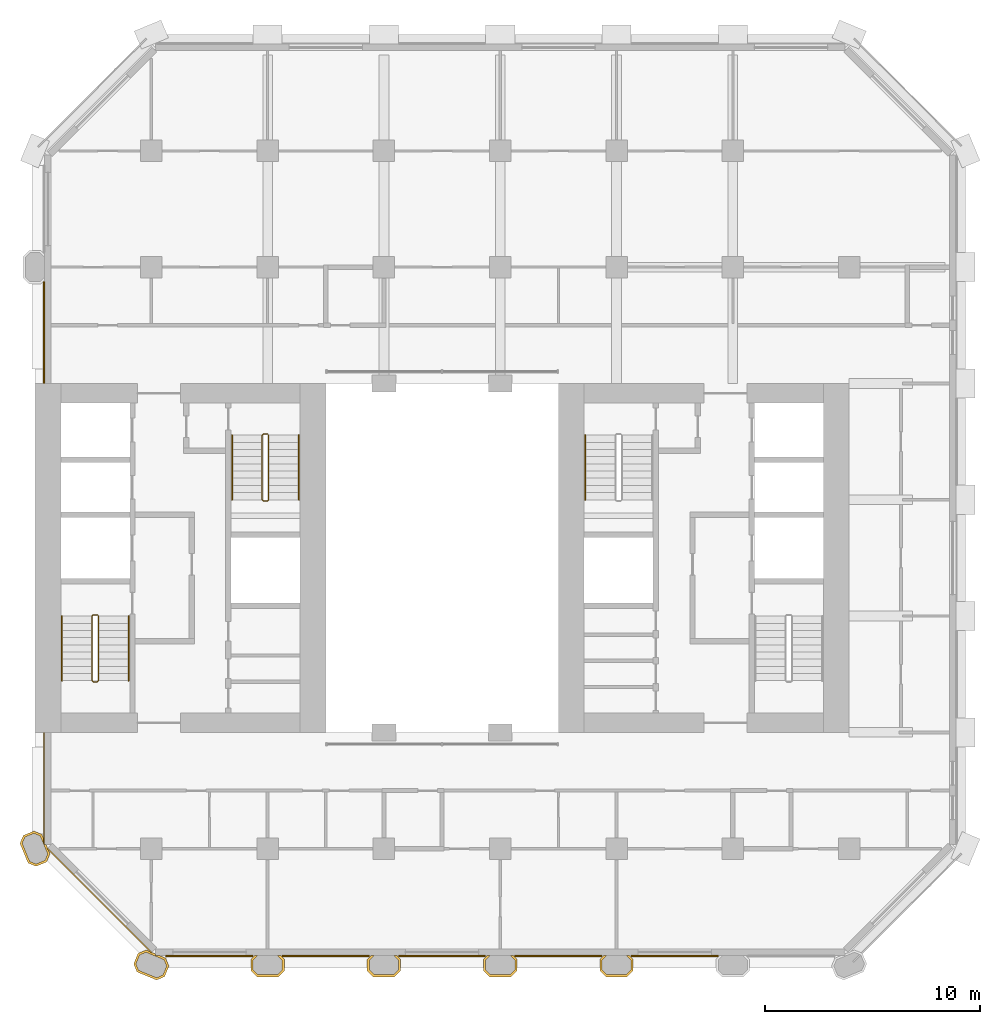
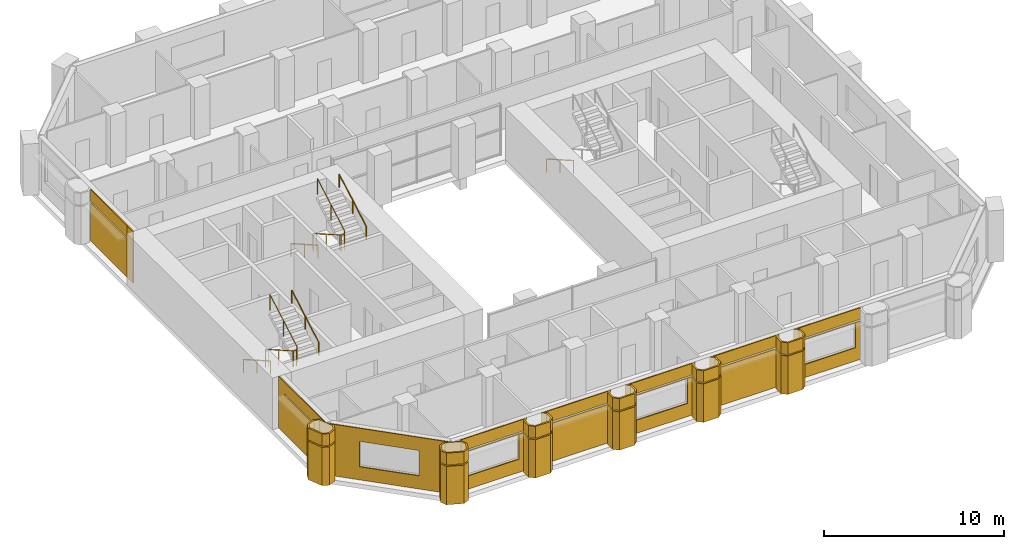
# One storey, part 9 of 11: 27 coverings, 7 railings.
"""IFC4 building model written with IfcOpenShell, lengths in metres."""

from ifc_helpers import new_model, si_unit, direction, frame, frame_2d, origin, origin_2d, place, context, subcontext, project, spatial, polyline, rectangle, circle, outline, extrude, material, layer, layer_set, type_object, element, save


model = new_model("IFC4")

# Units and contexts
model_context = context("Model", 3, precision=1e-05, world=origin(), true_north=direction((0.0, 1.0)))
body_context = subcontext(model_context, "Body", "Model", "MODEL_VIEW")
ifc_project = project(units=[si_unit("LENGTHUNIT", "METRE"), si_unit("AREAUNIT", "SQUARE_METRE"), si_unit("VOLUMEUNIT", "CUBIC_METRE"), si_unit("PLANEANGLEUNIT", "RADIAN"), si_unit("MASSUNIT", "GRAM", prefix="KILO")], contexts=[model_context])

# Site, building, storey
site_placement = place(None, origin())
site = spatial("IfcSite", under=ifc_project, at=site_placement, CompositionType="ELEMENT")
building_placement = place(site_placement, origin())
building = spatial("IfcBuilding", under=site, at=building_placement, Name="Tabaq Tower and Sports Hall", CompositionType="ELEMENT")
storey_placement = place(building_placement, frame((0.0, 0.0, 72.60009765625)))
storey = spatial("IfcBuildingStorey", under=building, at=storey_placement, Name="L16", CompositionType="ELEMENT", Elevation=72.60009765625)

# Coverings
ifc_material_1 = material(Name="Precast concrete C60/75", Category="concrete")
ifc_layer_1 = layer(ifc_material_1, 0.10009765625)
ifc_layer_set_1 = layer_set([ifc_layer_1], Name="Column cladding 100")
covering_type_1 = type_object("IfcCoveringType", Name="Column cladding 100", PredefinedType="CLADDING", material=ifc_layer_set_1)
covering_1_placement = place(storey_placement, origin())
element("IfcCovering", 1, at=covering_1_placement, inside=storey, type_object=covering_type_1, Name="Column cladding L16 PC-2C-O2", PredefinedType="CLADDING", context=body_context, shape_type="SweptSolid", body=[
    extrude(outline(polyline([(5.450439453125, 9.982421875), (5.080078125, 10.1357421875), (4.7041015625, 11.04345703125), (4.857421875, 11.413818359375), (5.349609375, 11.61767578125), (5.7197265625, 11.46435546875), (5.789794921875, 11.295654296875), (5.789794921875, 11.04296875), (5.849609375, 11.04296875), (5.849609375, 10.986083984375), (5.91796875, 10.986083984375), (5.9814453125, 10.83251953125), (5.9501953125, 10.801025390625), (6.026123046875, 10.72509765625), (6.095947265625, 10.556396484375), (5.9423828125, 10.186279296875), (5.450439453125, 9.982421875)]), holes=[polyline([(5.349609375, 11.510009765625), (4.93359375, 11.337646484375), (4.811767578125, 11.04345703125), (5.15625, 10.2119140625), (5.450439453125, 10.08984375), (5.866455078125, 10.26220703125), (5.98828125, 10.556396484375), (5.643798828125, 11.38818359375), (5.349609375, 11.510009765625)])]), origin(), (0.0, 0.0, 1.0), 2.599853515625),
])
covering_2_placement = place(storey_placement, frame((0.0, 0.0, 2.699951171875)))
element("IfcCovering", 2, at=covering_2_placement, inside=storey, type_object=covering_type_1, Name="Column cladding L16 PC-2C-O2 2", PredefinedType="CLADDING", context=body_context, shape_type="SweptSolid", body=[
    extrude(outline(polyline([(5.450439453125, 9.982421875), (5.080078125, 10.1357421875), (4.7041015625, 11.04345703125), (4.857421875, 11.413818359375), (5.349609375, 11.61767578125), (5.7197265625, 11.46435546875), (5.789794921875, 11.295654296875), (5.789794921875, 11.04296875), (5.849609375, 11.04296875), (5.849609375, 10.986083984375), (5.91796875, 10.986083984375), (5.9814453125, 10.83251953125), (5.9501953125, 10.801025390625), (6.026123046875, 10.72509765625), (6.095947265625, 10.556396484375), (5.9423828125, 10.186279296875), (5.450439453125, 9.982421875)]), holes=[polyline([(5.349609375, 11.510009765625), (4.93359375, 11.337646484375), (4.811767578125, 11.04345703125), (5.15625, 10.2119140625), (5.450439453125, 10.08984375), (5.866455078125, 10.26220703125), (5.98828125, 10.556396484375), (5.643798828125, 11.38818359375), (5.349609375, 11.510009765625)])]), origin(), (0.0, 0.0, 1.0), 0.800048828125),
])
covering_3_placement = place(storey_placement, origin())
element("IfcCovering", 3, at=covering_3_placement, inside=storey, type_object=covering_type_1, Name="Column cladding L16 PC-3B-O2", PredefinedType="CLADDING", context=body_context, shape_type="SweptSolid", body=[
    extrude(outline(polyline([(11.413818359375, 4.857421875), (11.04345703125, 4.7041015625), (10.1357421875, 5.080078125), (9.982421875, 5.450439453125), (10.186279296875, 5.9423828125), (10.556396484375, 6.095947265625), (10.72509765625, 6.026123046875), (10.801025390625, 5.9501953125), (10.83251953125, 5.9814453125), (10.986083984375, 5.91796875), (10.986083984375, 5.849609375), (11.15087890625, 5.849609375), (11.46435546875, 5.7197265625), (11.61767578125, 5.349609375), (11.413818359375, 4.857421875)]), holes=[polyline([(10.26220703125, 5.866455078125), (10.08984375, 5.450439453125), (10.2119140625, 5.15625), (11.04345703125, 4.811767578125), (11.337646484375, 4.93359375), (11.510009765625, 5.349609375), (11.38818359375, 5.643798828125), (10.556396484375, 5.98828125), (10.26220703125, 5.866455078125)])]), origin(), (0.0, 0.0, 1.0), 2.599853515625),
])
covering_4_placement = place(storey_placement, frame((0.0, 0.0, 2.699951171875)))
element("IfcCovering", 4, at=covering_4_placement, inside=storey, type_object=covering_type_1, Name="Column cladding L16 PC-3B-O2 2", PredefinedType="CLADDING", context=body_context, shape_type="SweptSolid", body=[
    extrude(outline(polyline([(11.413818359375, 4.857421875), (11.04345703125, 4.7041015625), (10.1357421875, 5.080078125), (9.982421875, 5.450439453125), (10.186279296875, 5.9423828125), (10.556396484375, 6.095947265625), (10.72509765625, 6.026123046875), (10.801025390625, 5.9501953125), (10.83251953125, 5.9814453125), (10.986083984375, 5.91796875), (10.986083984375, 5.849609375), (11.15087890625, 5.849609375), (11.46435546875, 5.7197265625), (11.61767578125, 5.349609375), (11.413818359375, 4.857421875)]), holes=[polyline([(10.26220703125, 5.866455078125), (10.08984375, 5.450439453125), (10.2119140625, 5.15625), (11.04345703125, 4.811767578125), (11.337646484375, 4.93359375), (11.510009765625, 5.349609375), (11.38818359375, 5.643798828125), (10.556396484375, 5.98828125), (10.26220703125, 5.866455078125)])]), origin(), (0.0, 0.0, 1.0), 0.800048828125),
])
covering_5_placement = place(storey_placement, origin())
element("IfcCovering", 5, at=covering_5_placement, inside=storey, type_object=covering_type_1, Name="Column cladding L16 PC-4B-O2", PredefinedType="CLADDING", context=body_context, shape_type="SweptSolid", body=[
    extrude(outline(polyline([(15.42529296875, 5.666259765625), (15.608642578125, 5.849609375), (15.749267578125, 5.849609375), (15.524658203125, 5.625244140625), (15.524658203125, 5.1748046875), (15.749755859375, 4.94970703125), (16.650146484375, 4.94970703125), (16.875244140625, 5.1748046875), (16.875244140625, 5.625244140625), (16.650634765625, 5.849609375), (16.791259765625, 5.849609375), (16.974609375, 5.666259765625), (16.974609375, 5.1337890625), (16.69140625, 4.850341796875), (15.708740234375, 4.850341796875), (15.42529296875, 5.1337890625), (15.42529296875, 5.666259765625)])), origin(), (0.0, 0.0, 1.0), 2.599853515625),
])
covering_6_placement = place(storey_placement, frame((0.0, 0.0, 2.699951171875)))
element("IfcCovering", 6, at=covering_6_placement, inside=storey, type_object=covering_type_1, Name="Column cladding L16 PC-4B-O2 2", PredefinedType="CLADDING", context=body_context, shape_type="SweptSolid", body=[
    extrude(outline(polyline([(15.42529296875, 5.666259765625), (15.608642578125, 5.849609375), (15.749267578125, 5.849609375), (15.524658203125, 5.625244140625), (15.524658203125, 5.1748046875), (15.749755859375, 4.94970703125), (16.650146484375, 4.94970703125), (16.875244140625, 5.1748046875), (16.875244140625, 5.625244140625), (16.650634765625, 5.849609375), (16.791259765625, 5.849609375), (16.974609375, 5.666259765625), (16.974609375, 5.1337890625), (16.69140625, 4.850341796875), (15.708740234375, 4.850341796875), (15.42529296875, 5.1337890625), (15.42529296875, 5.666259765625)])), origin(), (0.0, 0.0, 1.0), 0.800048828125),
])
covering_7_placement = place(storey_placement, origin())
element("IfcCovering", 7, at=covering_7_placement, inside=storey, type_object=covering_type_1, Name="Column cladding L16 PC-5B-O2", PredefinedType="CLADDING", context=body_context, shape_type="SweptSolid", body=[
    extrude(outline(polyline([(20.8251953125, 5.666259765625), (21.0087890625, 5.849609375), (21.149169921875, 5.849609375), (20.9248046875, 5.625244140625), (20.9248046875, 5.1748046875), (21.14990234375, 4.94970703125), (22.050048828125, 4.94970703125), (22.275390625, 5.1748046875), (22.275390625, 5.625244140625), (22.05078125, 5.849609375), (22.19140625, 5.849609375), (22.374755859375, 5.666259765625), (22.374755859375, 5.1337890625), (22.09130859375, 4.850341796875), (21.108642578125, 4.850341796875), (20.8251953125, 5.1337890625), (20.8251953125, 5.666259765625)])), origin(), (0.0, 0.0, 1.0), 2.599853515625),
])
covering_8_placement = place(storey_placement, frame((0.0, 0.0, 2.699951171875)))
element("IfcCovering", 8, at=covering_8_placement, inside=storey, type_object=covering_type_1, Name="Column cladding L16 PC-5B-O2 2", PredefinedType="CLADDING", context=body_context, shape_type="SweptSolid", body=[
    extrude(outline(polyline([(20.8251953125, 5.666259765625), (21.0087890625, 5.849609375), (21.149169921875, 5.849609375), (20.9248046875, 5.625244140625), (20.9248046875, 5.1748046875), (21.14990234375, 4.94970703125), (22.050048828125, 4.94970703125), (22.275390625, 5.1748046875), (22.275390625, 5.625244140625), (22.05078125, 5.849609375), (22.19140625, 5.849609375), (22.374755859375, 5.666259765625), (22.374755859375, 5.1337890625), (22.09130859375, 4.850341796875), (21.108642578125, 4.850341796875), (20.8251953125, 5.1337890625), (20.8251953125, 5.666259765625)])), origin(), (0.0, 0.0, 1.0), 0.800048828125),
])
covering_9_placement = place(storey_placement, origin())
element("IfcCovering", 9, at=covering_9_placement, inside=storey, type_object=covering_type_1, Name="Column cladding L16 PC-6B-O2", PredefinedType="CLADDING", context=body_context, shape_type="SweptSolid", body=[
    extrude(outline(polyline([(26.225341796875, 5.666259765625), (26.40869140625, 5.849609375), (26.54931640625, 5.849609375), (26.32470703125, 5.625244140625), (26.32470703125, 5.1748046875), (26.5498046875, 4.94970703125), (27.4501953125, 4.94970703125), (27.67529296875, 5.1748046875), (27.67529296875, 5.625244140625), (27.45068359375, 5.849609375), (27.59130859375, 5.849609375), (27.774658203125, 5.666259765625), (27.774658203125, 5.1337890625), (27.4912109375, 4.850341796875), (26.5087890625, 4.850341796875), (26.225341796875, 5.1337890625), (26.225341796875, 5.666259765625)])), origin(), (0.0, 0.0, 1.0), 2.599853515625),
])
covering_10_placement = place(storey_placement, frame((0.0, 0.0, 2.699951171875)))
element("IfcCovering", 10, at=covering_10_placement, inside=storey, type_object=covering_type_1, Name="Column cladding L16 PC-6B-O2 2", PredefinedType="CLADDING", context=body_context, shape_type="SweptSolid", body=[
    extrude(outline(polyline([(26.225341796875, 5.666259765625), (26.40869140625, 5.849609375), (26.54931640625, 5.849609375), (26.32470703125, 5.625244140625), (26.32470703125, 5.1748046875), (26.5498046875, 4.94970703125), (27.4501953125, 4.94970703125), (27.67529296875, 5.1748046875), (27.67529296875, 5.625244140625), (27.45068359375, 5.849609375), (27.59130859375, 5.849609375), (27.774658203125, 5.666259765625), (27.774658203125, 5.1337890625), (27.4912109375, 4.850341796875), (26.5087890625, 4.850341796875), (26.225341796875, 5.1337890625), (26.225341796875, 5.666259765625)])), origin(), (0.0, 0.0, 1.0), 0.800048828125),
])
covering_11_placement = place(storey_placement, origin())
element("IfcCovering", 11, at=covering_11_placement, inside=storey, type_object=covering_type_1, Name="Column cladding L16 PC-7B-O2", PredefinedType="CLADDING", context=body_context, shape_type="SweptSolid", body=[
    extrude(outline(polyline([(31.625244140625, 5.666259765625), (31.80859375, 5.849609375), (31.94921875, 5.849609375), (31.724609375, 5.625244140625), (31.724609375, 5.1748046875), (31.949951171875, 4.94970703125), (32.85009765625, 4.94970703125), (33.0751953125, 5.1748046875), (33.0751953125, 5.625244140625), (32.850830078125, 5.849609375), (32.9912109375, 5.849609375), (33.1748046875, 5.666259765625), (33.1748046875, 5.1337890625), (32.891357421875, 4.850341796875), (31.90869140625, 4.850341796875), (31.625244140625, 5.1337890625), (31.625244140625, 5.666259765625)])), origin(), (0.0, 0.0, 1.0), 2.599853515625),
])
covering_12_placement = place(storey_placement, frame((0.0, 0.0, 2.699951171875)))
element("IfcCovering", 12, at=covering_12_placement, inside=storey, type_object=covering_type_1, Name="Column cladding L16 PC-7B-O2 2", PredefinedType="CLADDING", context=body_context, shape_type="SweptSolid", body=[
    extrude(outline(polyline([(31.625244140625, 5.666259765625), (31.80859375, 5.849609375), (31.94921875, 5.849609375), (31.724609375, 5.625244140625), (31.724609375, 5.1748046875), (31.949951171875, 4.94970703125), (32.85009765625, 4.94970703125), (33.0751953125, 5.1748046875), (33.0751953125, 5.625244140625), (32.850830078125, 5.849609375), (32.9912109375, 5.849609375), (33.1748046875, 5.666259765625), (33.1748046875, 5.1337890625), (32.891357421875, 4.850341796875), (31.90869140625, 4.850341796875), (31.625244140625, 5.1337890625), (31.625244140625, 5.666259765625)])), origin(), (0.0, 0.0, 1.0), 0.800048828125),
])

# Railings
ifc_material_2 = material(Name="Stainless steel", Category="steel")
railing_type_1 = type_object("IfcRailingType", Name="Stair guard", PredefinedType="GUARDRAIL", material=ifc_material_2)
railing_1_placement = place(storey_placement, frame((8.300048828125, 21.64990234375, 0.0)))
element("IfcRailing", 13, at=railing_1_placement, inside=storey, type_object=railing_type_1, Name="L16 ST1 stair guard 1", PredefinedType="GUARDRAIL", context=body_context, shape_type="SweptSolid", body=[
    extrude(circle(Radius=0.02392578125, at=origin_2d()), frame((0.0, 0.0, 1.076171875), z_axis=(-1.0, 0.0, 0.0), x_axis=(0.0, -1.0, 0.0)), (0.0, 0.0, 1.0), 0.199951171875),
    extrude(circle(Radius=0.02392578125, at=origin_2d()), frame((-0.199951171875, 0.0, 1.076171875), z_axis=(-0.246983470365, -0.245778672949, 0.937332389972), x_axis=(0.705375805398, -0.708833529934, 0.0)), (0.0, 0.0, 1.0), 0.20263671875),
    extrude(circle(Radius=0.02392578125, at=origin_2d()), frame((-0.25, -0.0498046875, 1.26611328125), z_axis=(0.0, -0.868782136927, 0.495194505781), x_axis=(1.0, 0.0, 0.0)), (0.0, 0.0, 1.0), 3.453125),
    extrude(circle(Radius=0.02392578125, at=origin_2d()), frame((-0.25, -3.0498046875, 2.97607421875), z_axis=(0.707106781187, -0.707106781187, 0.0), x_axis=(0.707106781187, 0.707106781187, 0.0)), (0.0, 0.0, 1.0), 0.07080078125),
    extrude(circle(Radius=0.02392578125, at=origin_2d()), frame((-0.199951171875, -3.099853515625, 2.97607421875), z_axis=(1.0, 0.0, 0.0), x_axis=(0.0, 1.0, 0.0)), (0.0, 0.0, 1.0), 0.199951171875),
    extrude(circle(Radius=0.02392578125, at=origin_2d()), frame((0.0, -3.099853515625, 2.97607421875), z_axis=(0.246910188598, 0.246910188598, 0.937054276727), x_axis=(-0.707106781187, 0.707106781187, 0.0)), (0.0, 0.0, 1.0), 0.20263671875),
    extrude(circle(Radius=0.02392578125, at=origin_2d()), frame((0.050048828125, -3.0498046875, 3.166015625), z_axis=(0.0, 0.868782136927, 0.495194505781), x_axis=(-1.0, 0.0, 0.0)), (0.0, 0.0, 1.0), 3.453125),
    extrude(circle(Radius=0.02099609375, at=origin_2d()), origin(), (0.0, 0.0, 1.0), 1.052001953125),
    extrude(circle(Radius=0.02099609375, at=origin_2d()), frame((-0.199951171875, 0.0, 0.0)), (0.0, 0.0, 1.0), 1.052001953125),
    extrude(circle(Radius=0.02099609375, at=origin_2d()), frame((-0.25, -0.0498046875, 0.18994140625)), (0.0, 0.0, 1.0), 1.052001953125),
    extrude(circle(Radius=0.02099609375, at=origin_2d()), frame((-0.25, -1.5498046875, 1.044921875)), (0.0, 0.0, 1.0), 1.052001953125),
    extrude(circle(Radius=0.02099609375, at=origin_2d()), frame((-0.25, -3.0498046875, 1.89990234375)), (0.0, 0.0, 1.0), 1.052001953125),
    extrude(circle(Radius=0.02099609375, at=origin_2d()), frame((-0.199951171875, -3.099853515625, 1.89990234375)), (0.0, 0.0, 1.0), 1.052001953125),
    extrude(circle(Radius=0.02099609375, at=origin_2d()), frame((0.0, -3.099853515625, 1.89990234375)), (0.0, 0.0, 1.0), 1.052001953125),
    extrude(circle(Radius=0.02099609375, at=origin_2d()), frame((0.050048828125, -3.0498046875, 2.08984375)), (0.0, 0.0, 1.0), 1.052001953125),
    extrude(circle(Radius=0.02099609375, at=origin_2d()), frame((0.050048828125, -1.5498046875, 2.94482421875)), (0.0, 0.0, 1.0), 1.052001953125),
    extrude(circle(Radius=0.02099609375, at=origin_2d()), frame((0.050048828125, -0.0498046875, 3.7998046875)), (0.0, 0.0, 1.0), 1.052001953125),
])
railing_2_placement = place(storey_placement, frame((16.199951171875, 30.050048828125, 0.0)))
element("IfcRailing", 14, at=railing_2_placement, inside=storey, type_object=railing_type_1, Name="L16 ST2 stair guard 1", PredefinedType="GUARDRAIL", context=body_context, shape_type="SweptSolid", body=[
    extrude(circle(Radius=0.02392578125, at=origin_2d()), frame((0.0, 0.0, 1.076171875), z_axis=(-1.0, 0.0, 0.0), x_axis=(0.0, -1.0, 0.0)), (0.0, 0.0, 1.0), 0.199951171875),
    extrude(circle(Radius=0.02392578125, at=origin_2d()), frame((-0.199951171875, 0.0, 1.076171875), z_axis=(-0.246910188598, -0.246910188598, 0.937054276727), x_axis=(0.707106781187, -0.707106781187, 0.0)), (0.0, 0.0, 1.0), 0.20263671875),
    extrude(circle(Radius=0.02392578125, at=origin_2d()), frame((-0.25, -0.050048828125, 1.26611328125), z_axis=(0.0, -0.868782136927, 0.495194505781), x_axis=(1.0, 0.0, 0.0)), (0.0, 0.0, 1.0), 3.453125),
    extrude(circle(Radius=0.02392578125, at=origin_2d()), frame((-0.25, -3.050048828125, 2.97607421875), z_axis=(0.707106781187, -0.707106781187, 0.0), x_axis=(0.707106781187, 0.707106781187, 0.0)), (0.0, 0.0, 1.0), 0.07080078125),
    extrude(circle(Radius=0.02392578125, at=origin_2d()), frame((-0.199951171875, -3.10009765625, 2.97607421875), z_axis=(1.0, 0.0, 0.0), x_axis=(0.0, 1.0, 0.0)), (0.0, 0.0, 1.0), 0.199951171875),
    extrude(circle(Radius=0.02392578125, at=origin_2d()), frame((0.0, -3.10009765625, 2.97607421875), z_axis=(0.246910188598, 0.246910188598, 0.937054276727), x_axis=(-0.707106781187, 0.707106781187, 0.0)), (0.0, 0.0, 1.0), 0.20263671875),
    extrude(circle(Radius=0.02392578125, at=origin_2d()), frame((0.050048828125, -3.050048828125, 3.166015625), z_axis=(0.0, 0.868782136927, 0.495194505781), x_axis=(-1.0, 0.0, 0.0)), (0.0, 0.0, 1.0), 3.453125),
    extrude(circle(Radius=0.02099609375, at=origin_2d()), origin(), (0.0, 0.0, 1.0), 1.052001953125),
    extrude(circle(Radius=0.02099609375, at=origin_2d()), frame((-0.199951171875, 0.0, 0.0)), (0.0, 0.0, 1.0), 1.052001953125),
    extrude(circle(Radius=0.02099609375, at=origin_2d()), frame((-0.25, -0.050048828125, 0.18994140625)), (0.0, 0.0, 1.0), 1.052001953125),
    extrude(circle(Radius=0.02099609375, at=origin_2d()), frame((-0.25, -1.550048828125, 1.044921875)), (0.0, 0.0, 1.0), 1.052001953125),
    extrude(circle(Radius=0.02099609375, at=origin_2d()), frame((-0.25, -3.050048828125, 1.89990234375)), (0.0, 0.0, 1.0), 1.052001953125),
    extrude(circle(Radius=0.02099609375, at=origin_2d()), frame((-0.199951171875, -3.10009765625, 1.89990234375)), (0.0, 0.0, 1.0), 1.052001953125),
    extrude(circle(Radius=0.02099609375, at=origin_2d()), frame((0.0, -3.10009765625, 1.89990234375)), (0.0, 0.0, 1.0), 1.052001953125),
    extrude(circle(Radius=0.02099609375, at=origin_2d()), frame((0.050048828125, -3.050048828125, 2.08984375)), (0.0, 0.0, 1.0), 1.052001953125),
    extrude(circle(Radius=0.02099609375, at=origin_2d()), frame((0.050048828125, -1.550048828125, 2.94482421875)), (0.0, 0.0, 1.0), 1.052001953125),
    extrude(circle(Radius=0.02099609375, at=origin_2d()), frame((0.050048828125, -0.050048828125, 3.7998046875)), (0.0, 0.0, 1.0), 1.052001953125),
])
ifc_material_3 = material(Name="Stainless steel", Category="steel")
railing_type_2 = type_object("IfcRailingType", Name="Stair handrail", PredefinedType="HANDRAIL", material=ifc_material_3)
railing_3_placement = place(storey_placement, frame((6.64990234375, 21.60009765625, 0.18994140625)))
element("IfcRailing", 15, at=railing_3_placement, inside=storey, type_object=railing_type_2, Name="L16 ST1 stair handrail 1", PredefinedType="HANDRAIL", context=body_context, shape_type="SweptSolid", body=[
    extrude(circle(Radius=0.02392578125, at=origin_2d()), frame((0.0, 0.0, 0.8759765625), z_axis=(0.0, -0.868782136927, 0.495194505781), x_axis=(1.0, 0.0, 0.0)), (0.0, 0.0, 1.0), 3.453125),
    extrude(circle(Radius=0.02099609375, at=origin_2d()), origin(), (0.0, 0.0, 1.0), 0.851806640625),
    extrude(circle(Radius=0.02099609375, at=origin_2d()), frame((0.0, -1.5, 0.85498046875)), (0.0, 0.0, 1.0), 0.851806640625),
    extrude(circle(Radius=0.02099609375, at=origin_2d()), frame((0.0, -3.0, 1.7099609375)), (0.0, 0.0, 1.0), 0.851806640625),
])
railing_4_placement = place(storey_placement, frame((9.75, 18.60009765625, 2.08984375)))
element("IfcRailing", 16, at=railing_4_placement, inside=storey, type_object=railing_type_2, Name="L16 ST1 stair handrail 2", PredefinedType="HANDRAIL", context=body_context, shape_type="SweptSolid", body=[
    extrude(circle(Radius=0.02392578125, at=origin_2d()), frame((0.0, 0.0, 0.8759765625), z_axis=(0.0, 0.868782136927, 0.495194505781), x_axis=(-1.0, 0.0, 0.0)), (0.0, 0.0, 1.0), 3.453125),
    extrude(circle(Radius=0.02099609375, at=origin_2d()), origin(), (0.0, 0.0, 1.0), 0.851806640625),
    extrude(circle(Radius=0.02099609375, at=origin_2d()), frame((0.0, 1.5, 0.85498046875)), (0.0, 0.0, 1.0), 0.851806640625),
    extrude(circle(Radius=0.02099609375, at=origin_2d()), frame((0.0, 3.0, 1.7099609375)), (0.0, 0.0, 1.0), 0.851806640625),
])
railing_5_placement = place(storey_placement, frame((14.550048828125, 30.0, 0.18994140625)))
element("IfcRailing", 17, at=railing_5_placement, inside=storey, type_object=railing_type_2, Name="L16 ST2 stair handrail 1", PredefinedType="HANDRAIL", context=body_context, shape_type="SweptSolid", body=[
    extrude(circle(Radius=0.02392578125, at=origin_2d()), frame((0.0, 0.0, 0.8759765625), z_axis=(0.0, -0.868782136927, 0.495194505781), x_axis=(1.0, 0.0, 0.0)), (0.0, 0.0, 1.0), 3.453125),
    extrude(circle(Radius=0.02099609375, at=origin_2d()), origin(), (0.0, 0.0, 1.0), 0.851806640625),
    extrude(circle(Radius=0.02099609375, at=origin_2d()), frame((0.0, -1.5, 0.85498046875)), (0.0, 0.0, 1.0), 0.851806640625),
    extrude(circle(Radius=0.02099609375, at=origin_2d()), frame((0.0, -3.0, 1.7099609375)), (0.0, 0.0, 1.0), 0.851806640625),
])
railing_6_placement = place(storey_placement, frame((17.64990234375, 27.0, 2.08984375)))
element("IfcRailing", 18, at=railing_6_placement, inside=storey, type_object=railing_type_2, Name="L16 ST2 stair handrail 2", PredefinedType="HANDRAIL", context=body_context, shape_type="SweptSolid", body=[
    extrude(circle(Radius=0.02392578125, at=origin_2d()), frame((0.0, 0.0, 0.8759765625), z_axis=(0.0, 0.868782136927, 0.495194505781), x_axis=(-1.0, 0.0, 0.0)), (0.0, 0.0, 1.0), 3.453125),
    extrude(circle(Radius=0.02099609375, at=origin_2d()), origin(), (0.0, 0.0, 1.0), 0.851806640625),
    extrude(circle(Radius=0.02099609375, at=origin_2d()), frame((0.0, 1.5, 0.85498046875)), (0.0, 0.0, 1.0), 0.851806640625),
    extrude(circle(Radius=0.02099609375, at=origin_2d()), frame((0.0, 3.0, 1.7099609375)), (0.0, 0.0, 1.0), 0.851806640625),
])
railing_7_placement = place(storey_placement, frame((30.949951171875, 30.0, 0.18994140625)))
element("IfcRailing", 19, at=railing_7_placement, inside=storey, type_object=railing_type_2, Name="L16 ST4 stair handrail 1", PredefinedType="HANDRAIL", context=body_context, shape_type="SweptSolid", body=[
    extrude(circle(Radius=0.02392578125, at=origin_2d()), frame((0.0, 0.0, 0.8759765625), z_axis=(0.0, -0.868782136927, 0.495194505781), x_axis=(1.0, 0.0, 0.0)), (0.0, 0.0, 1.0), 3.453125),
    extrude(circle(Radius=0.02099609375, at=origin_2d()), origin(), (0.0, 0.0, 1.0), 0.851806640625),
    extrude(circle(Radius=0.02099609375, at=origin_2d()), frame((0.0, -1.5, 0.85498046875)), (0.0, 0.0, 1.0), 0.851806640625),
    extrude(circle(Radius=0.02099609375, at=origin_2d()), frame((0.0, -3.0, 1.7099609375)), (0.0, 0.0, 1.0), 0.851806640625),
])

# Coverings
ifc_material_4 = material(Name="Precast concrete C60/75", Category="concrete")
ifc_layer_2 = layer(ifc_material_4, 0.06005859375)
ifc_layer_set_2 = layer_set([ifc_layer_2], Name="White precast cladding panel 60 C60/75")
covering_type_2 = type_object("IfcCoveringType", Name="White precast cladding panel 60 C60/75", PredefinedType="CLADDING", material=ifc_layer_set_2)
covering_13_placement = place(storey_placement, frame((11.465087890625, 5.820068359375, 0.0), z_axis=(0.0, 0.0, 1.0), x_axis=(1.0, 0.0, 0.0)))
element("IfcCovering", 20, at=covering_13_placement, inside=storey, type_object=covering_type_2, Name="White precast cladding panel L16 wall00", PredefinedType="CLADDING", context=body_context, shape_type="SweptSolid", body=[
    extrude(outline(polyline([(0.0, 0.0), (4.0498046875, 0.0), (4.0498046875, 2.58984375), (0.0, 2.58984375), (0.0, 0.0)]), holes=[polyline([(3.7451171875, 0.889892578125), (0.324951171875, 0.889892578125), (0.324951171875, 2.559814453125), (3.7451171875, 2.559814453125), (3.7451171875, 0.889892578125)])]), frame((0.0, 0.030029296875, 0.0), z_axis=(0.0, -1.0, 0.0), x_axis=(1.0, 0.0, 0.0)), (0.0, 0.0, 1.0), 0.06005859375),
])
covering_14_placement = place(storey_placement, frame((11.465087890625, 5.820068359375, 2.7099609375), z_axis=(0.0, 0.0, 1.0), x_axis=(1.0, 0.0, 0.0)))
element("IfcCovering", 21, at=covering_14_placement, inside=storey, type_object=covering_type_2, Name="White precast cladding panel L16 wall00 2", PredefinedType="CLADDING", context=body_context, shape_type="SweptSolid", body=[
    extrude(rectangle(XDim=4.0498046875, YDim=0.06005859375, at=frame_2d((2.02490234375, 0.0))), origin(), (0.0, 0.0, 1.0), 0.7900390625),
])
covering_15_placement = place(storey_placement, frame((16.885009765625, 5.820068359375, 0.0), z_axis=(0.0, 0.0, 1.0), x_axis=(1.0, 0.0, 0.0)))
element("IfcCovering", 22, at=covering_15_placement, inside=storey, type_object=covering_type_2, Name="White precast cladding panel L16 wall00 3", PredefinedType="CLADDING", context=body_context, shape_type="SweptSolid", body=[
    extrude(rectangle(XDim=4.030029296875, YDim=0.06005859375, at=frame_2d((2.01513671875, 0.0))), origin(), (0.0, 0.0, 1.0), 2.58984375),
])
covering_16_placement = place(storey_placement, frame((16.885009765625, 5.820068359375, 2.7099609375), z_axis=(0.0, 0.0, 1.0), x_axis=(1.0, 0.0, 0.0)))
element("IfcCovering", 23, at=covering_16_placement, inside=storey, type_object=covering_type_2, Name="White precast cladding panel L16 wall00 4", PredefinedType="CLADDING", context=body_context, shape_type="SweptSolid", body=[
    extrude(rectangle(XDim=4.030029296875, YDim=0.06005859375, at=frame_2d((2.01513671875, 0.0))), origin(), (0.0, 0.0, 1.0), 0.7900390625),
])
covering_17_placement = place(storey_placement, frame((22.284912109375, 5.820068359375, 0.0), z_axis=(0.0, 0.0, 1.0), x_axis=(1.0, 0.0, 0.0)))
element("IfcCovering", 24, at=covering_17_placement, inside=storey, type_object=covering_type_2, Name="White precast cladding panel L16 wall00 5", PredefinedType="CLADDING", context=body_context, shape_type="SweptSolid", body=[
    extrude(outline(polyline([(0.0, 0.0), (4.030029296875, 0.0), (4.030029296875, 2.58984375), (0.0, 2.58984375), (0.0, 0.0)]), holes=[polyline([(3.72509765625, 0.889892578125), (0.304931640625, 0.889892578125), (0.304931640625, 2.559814453125), (3.72509765625, 2.559814453125), (3.72509765625, 0.889892578125)])]), frame((0.0, 0.030029296875, 0.0), z_axis=(0.0, -1.0, 0.0), x_axis=(1.0, 0.0, 0.0)), (0.0, 0.0, 1.0), 0.06005859375),
])
covering_18_placement = place(storey_placement, frame((22.284912109375, 5.820068359375, 2.7099609375), z_axis=(0.0, 0.0, 1.0), x_axis=(1.0, 0.0, 0.0)))
element("IfcCovering", 25, at=covering_18_placement, inside=storey, type_object=covering_type_2, Name="White precast cladding panel L16 wall00 6", PredefinedType="CLADDING", context=body_context, shape_type="SweptSolid", body=[
    extrude(rectangle(XDim=4.030029296875, YDim=0.06005859375, at=frame_2d((2.01513671875, 0.0))), origin(), (0.0, 0.0, 1.0), 0.7900390625),
])
covering_19_placement = place(storey_placement, frame((27.68505859375, 5.820068359375, 0.0), z_axis=(0.0, 0.0, 1.0), x_axis=(1.0, 0.0, 0.0)))
element("IfcCovering", 26, at=covering_19_placement, inside=storey, type_object=covering_type_2, Name="White precast cladding panel L16 wall00 7", PredefinedType="CLADDING", context=body_context, shape_type="SweptSolid", body=[
    extrude(rectangle(XDim=4.030029296875, YDim=0.06005859375, at=frame_2d((2.01513671875, 0.0))), origin(), (0.0, 0.0, 1.0), 2.58984375),
])
covering_20_placement = place(storey_placement, frame((27.68505859375, 5.820068359375, 2.7099609375), z_axis=(0.0, 0.0, 1.0), x_axis=(1.0, 0.0, 0.0)))
element("IfcCovering", 27, at=covering_20_placement, inside=storey, type_object=covering_type_2, Name="White precast cladding panel L16 wall00 8", PredefinedType="CLADDING", context=body_context, shape_type="SweptSolid", body=[
    extrude(rectangle(XDim=4.030029296875, YDim=0.06005859375, at=frame_2d((2.01513671875, 0.0))), origin(), (0.0, 0.0, 1.0), 0.7900390625),
])
covering_21_placement = place(storey_placement, frame((33.0849609375, 5.820068359375, 0.0), z_axis=(0.0, 0.0, 1.0), x_axis=(1.0, 0.0, 0.0)))
element("IfcCovering", 28, at=covering_21_placement, inside=storey, type_object=covering_type_2, Name="White precast cladding panel L16 wall00 9", PredefinedType="CLADDING", context=body_context, shape_type="SweptSolid", body=[
    extrude(outline(polyline([(0.0, 0.0), (4.030029296875, 0.0), (4.030029296875, 2.58984375), (0.0, 2.58984375), (0.0, 0.0)]), holes=[polyline([(3.72509765625, 0.889892578125), (0.304931640625, 0.889892578125), (0.304931640625, 2.559814453125), (3.72509765625, 2.559814453125), (3.72509765625, 0.889892578125)])]), frame((0.0, 0.030029296875, 0.0), z_axis=(0.0, -1.0, 0.0), x_axis=(1.0, 0.0, 0.0)), (0.0, 0.0, 1.0), 0.06005859375),
])
covering_22_placement = place(storey_placement, frame((33.0849609375, 5.820068359375, 2.7099609375), z_axis=(0.0, 0.0, 1.0), x_axis=(1.0, 0.0, 0.0)))
element("IfcCovering", 29, at=covering_22_placement, inside=storey, type_object=covering_type_2, Name="White precast cladding panel L16 wall00 10", PredefinedType="CLADDING", context=body_context, shape_type="SweptSolid", body=[
    extrude(rectangle(XDim=4.030029296875, YDim=0.06005859375, at=frame_2d((2.01513671875, 0.0))), origin(), (0.0, 0.0, 1.0), 0.7900390625),
])
covering_23_placement = place(storey_placement, frame((5.820068359375, 37.114990234375, 0.0), z_axis=(0.0, 0.0, 1.0), x_axis=(0.0, -1.0, 0.0)))
element("IfcCovering", 30, at=covering_23_placement, inside=storey, type_object=covering_type_2, Name="White precast cladding panel L16 wall06 3", PredefinedType="CLADDING", context=body_context, shape_type="SweptSolid", body=[
    extrude(rectangle(XDim=4.050048828125, YDim=0.06005859375, at=frame_2d((2.02490234375, 0.0))), origin(), (0.0, 0.0, 1.0), 2.58984375),
])
covering_24_placement = place(storey_placement, frame((5.820068359375, 37.114990234375, 2.7099609375), z_axis=(0.0, 0.0, 1.0), x_axis=(0.0, -1.0, 0.0)))
element("IfcCovering", 31, at=covering_24_placement, inside=storey, type_object=covering_type_2, Name="White precast cladding panel L16 wall06 4", PredefinedType="CLADDING", context=body_context, shape_type="SweptSolid", body=[
    extrude(rectangle(XDim=4.050048828125, YDim=0.06005859375, at=frame_2d((2.02490234375, 0.0))), origin(), (0.0, 0.0, 1.0), 0.7900390625),
])
covering_25_placement = place(storey_placement, frame((5.820068359375, 33.06494140625, 0.0), z_axis=(0.0, 0.0, 1.0), x_axis=(0.0, -1.0, 0.0)))
element("IfcCovering", 32, at=covering_25_placement, inside=storey, type_object=covering_type_2, Name="White precast cladding panel L16 wall06 5", PredefinedType="CLADDING", context=body_context, shape_type="SweptSolid", body=[
    extrude(rectangle(XDim=0.6650390625, YDim=0.06005859375, at=frame_2d((0.33251953125, 0.0))), origin(), (0.0, 0.0, 1.0), 3.5),
])
covering_26_placement = place(storey_placement, frame((5.820068359375, 16.199951171875, 0.0), z_axis=(0.0, 0.0, 1.0), x_axis=(0.0, -1.0, 0.0)))
element("IfcCovering", 33, at=covering_26_placement, inside=storey, type_object=covering_type_2, Name="White precast cladding panel L16 wall06-1", PredefinedType="CLADDING", context=body_context, shape_type="SweptSolid", body=[
    extrude(outline(polyline([(0.0, 0.0), (5.15673828125, 0.0), (5.15673828125, 3.5), (0.0, 3.5), (0.0, 0.0)]), holes=[polyline([(0.6650390625, 2.58984375), (0.6650390625, 2.7099609375), (4.735107421875, 2.7099609375), (4.735107421875, 2.58984375), (0.6650390625, 2.58984375)])]), frame((0.0, 0.030029296875, 0.0), z_axis=(0.0, -1.0, 0.0), x_axis=(1.0, 0.0, 0.0)), (0.0, 0.0, 1.0), 0.06005859375),
])
covering_27_placement = place(storey_placement, frame((5.9716796875, 10.822265625, 0.0), z_axis=(0.0, 0.0, 1.0), x_axis=(0.707106781187, -0.707106781187, 0.0)))
element("IfcCovering", 34, at=covering_27_placement, inside=storey, type_object=covering_type_2, Name="White precast cladding panel L16 wall07", PredefinedType="CLADDING", context=body_context, shape_type="SweptSolid", body=[
    extrude(outline(polyline([(0.0, 0.0), (6.85986328125, 0.0), (6.85986328125, 3.5), (0.0, 3.5), (0.0, 0.0)]), holes=[polyline([(1.7197265625, 0.889892578125), (1.7197265625, 2.60986328125), (5.139892578125, 2.60986328125), (5.139892578125, 0.889892578125), (1.7197265625, 0.889892578125)])]), frame((0.0, 0.030029296875, 0.0), z_axis=(0.0, -1.0, 0.0), x_axis=(1.0, 0.0, 0.0)), (0.0, 0.0, 1.0), 0.06005859375),
])

save(model, "model.ifc")
